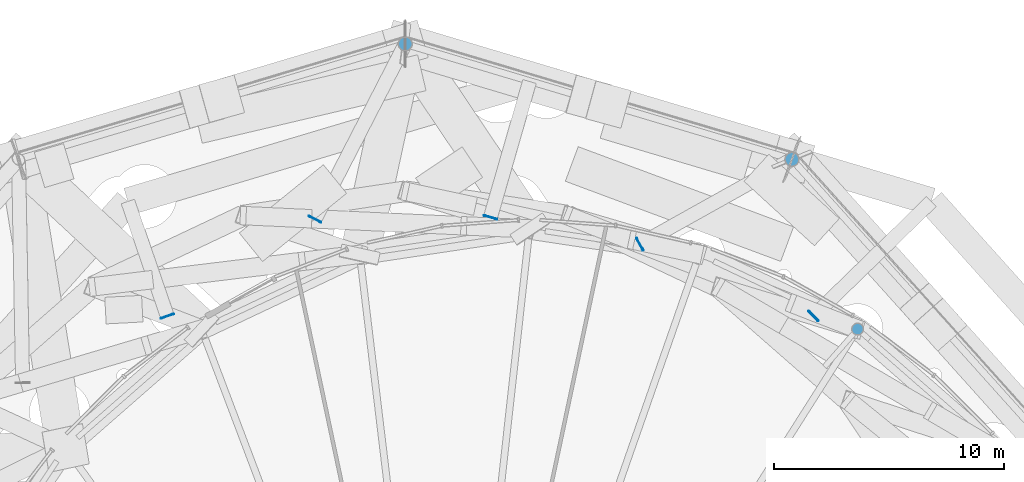
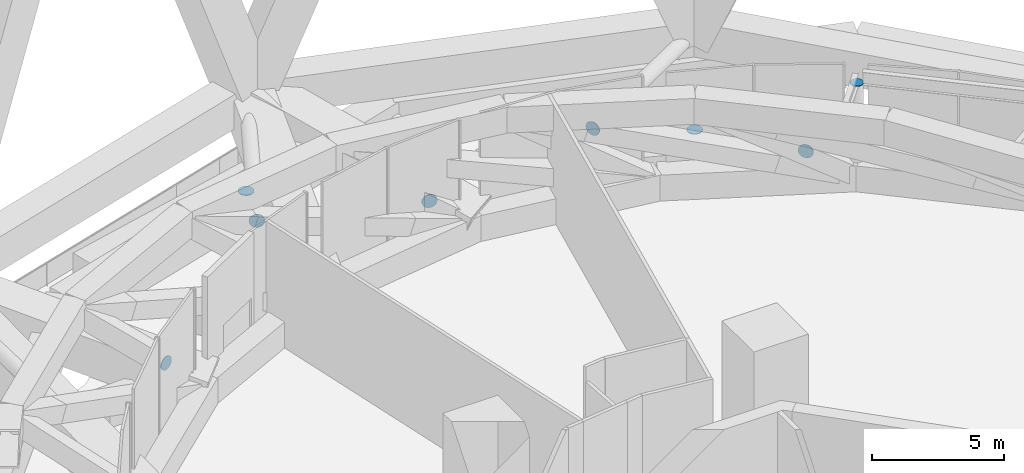
# One storey, part 48 of 51: 8 discrete accessories.
"""IFC4 building model written with IfcOpenShell, lengths in metres."""

from ifc_helpers import new_model, si_unit, direction, frame, origin, origin_2d, place, context, subcontext, project, spatial, circle, extrude, material, layer, layer_set, type_object, element, save


model = new_model("IFC4")

# Units and contexts
model_context = context("Model", 3, precision=1e-05, world=origin(), true_north=direction((0.0, 1.0)))
body_context = subcontext(model_context, "Body", "Model", "MODEL_VIEW")
ifc_project = project(units=[si_unit("LENGTHUNIT", "METRE"), si_unit("AREAUNIT", "SQUARE_METRE"), si_unit("VOLUMEUNIT", "CUBIC_METRE"), si_unit("PLANEANGLEUNIT", "RADIAN"), si_unit("MASSUNIT", "GRAM", prefix="KILO")], contexts=[model_context])

# Site, building, storey
site_placement = place(None, origin())
site = spatial("IfcSite", under=ifc_project, at=site_placement, CompositionType="ELEMENT")
building_placement = place(site_placement, origin())
building = spatial("IfcBuilding", under=site, at=building_placement, Name="Nagisa Residences", CompositionType="ELEMENT")
storey_placement = place(building_placement, frame((0.0, 0.0, 67.699951171875)))
storey = spatial("IfcBuildingStorey", under=building, at=storey_placement, Name="L16", CompositionType="ELEMENT", Elevation=67.699951171875)

# Discrete accessories
ifc_material_1 = material(Name="Steel ASTM A572 Gr 50", Category="steel")
ifc_layer_1 = layer(ifc_material_1, 0.030029296875)
ifc_layer_set_1 = layer_set([ifc_layer_1], Name="End plate")
discrete_accessory_type_1 = type_object("IfcDiscreteAccessoryType", Name="End plate", PredefinedType="ANCHORPLATE", material=ifc_layer_set_1)
for number, where, z_axis, x_axis, name in (
    (1, (14.99755859375, 35.52001953125, -0.889892578125), (0.0, 0.0, -1.0), (1.0, 0.0, 0.0), "End plate DH102"),
    (2, (-1.800048828125, 40.53271484375, -0.889892578125), (0.0, 0.0, -1.0), (1.0, 0.0, 0.0), "End plate DH103"),
):
    element("IfcDiscreteAccessory", number, at=place(storey_placement, frame(where, z_axis=z_axis, x_axis=x_axis)), inside=storey, type_object=discrete_accessory_type_1, Name=name, PredefinedType="ANCHORPLATE", context=body_context, shape_type="SweptSolid", body=[
        extrude(circle(Radius=0.304931640625, at=origin_2d()), origin(), (0.0, 0.0, 1.0), 0.030029296875),
    ])
discrete_accessory_1_placement = place(storey_placement, frame((17.85009765625, 28.145751953125, 4.737060546875), z_axis=(0.0, 0.0, 1.0), x_axis=(1.0, 0.0, 0.0)))
element("IfcDiscreteAccessory", 3, at=discrete_accessory_1_placement, inside=storey, type_object=discrete_accessory_type_1, Name="End plate GP105", PredefinedType="ANCHORPLATE", context=body_context, shape_type="SweptSolid", body=[
    extrude(circle(Radius=0.25390625, at=origin_2d()), origin(), (0.0, 0.0, 1.0), 0.030029296875),
])
ifc_material_2 = material(Name="Steel ASTM A572 Gr 50", Category="steel")
ifc_layer_2 = layer(ifc_material_2, 0.030029296875)
ifc_layer_set_2 = layer_set([ifc_layer_2], Name="Node plate")
discrete_accessory_type_2 = type_object("IfcDiscreteAccessoryType", Name="Node plate", PredefinedType="ANCHORPLATE", material=ifc_layer_set_2)
for number, where, z_axis, x_axis, name in (
    (4, (15.949462890625, 28.720947265625, 1.900146484375), (-0.715187202401, -0.698932947801, 0.0), (0.698932947801, -0.715187202401, 0.0), "Node plate ST1A03"),
    (5, (1.904296875, 33.0126953125, 1.900146484375), (-0.276871495343, -0.960906954427, 0.0), (0.960906954427, -0.276871495343, 0.0), "Node plate ST1A04"),
    (6, (-12.140869140625, 28.720947265625, 1.900146484375), (0.325990683319, -0.945372981626, 0.0), (0.945372981626, 0.325990683319, 0.0), "Node plate ST1A05"),
):
    element("IfcDiscreteAccessory", number, at=place(storey_placement, frame(where, z_axis=z_axis, x_axis=x_axis)), inside=storey, type_object=discrete_accessory_type_2, Name=name, PredefinedType="ANCHORPLATE", context=body_context, shape_type="SweptSolid", body=[
        extrude(circle(Radius=0.304931640625, at=origin_2d()), origin(), (0.0, 0.0, 1.0), 0.030029296875),
    ])
discrete_accessory_2_placement = place(storey_placement, frame((8.40673828125, 31.83740234375, 3.699951171875), z_axis=(-0.874157276122, -0.485642931179, 0.0), x_axis=(0.485642931179, -0.874157276122, 0.0)))
element("IfcDiscreteAccessory", 7, at=discrete_accessory_2_placement, inside=storey, type_object=discrete_accessory_type_2, Name="Node plate ST2B03", PredefinedType="ANCHORPLATE", context=body_context, shape_type="SweptSolid", body=[
    extrude(circle(Radius=0.304931640625, at=origin_2d()), origin(), (0.0, 0.0, 1.0), 0.0302734375),
])
discrete_accessory_3_placement = place(storey_placement, frame((-5.7138671875, 32.93115234375, 3.699951171875), z_axis=(-0.456979203766, -0.88947737876, 0.0), x_axis=(0.88947737876, -0.456979203766, 0.0)))
element("IfcDiscreteAccessory", 8, at=discrete_accessory_3_placement, inside=storey, type_object=discrete_accessory_type_2, Name="Node plate ST2B04", PredefinedType="ANCHORPLATE", context=body_context, shape_type="SweptSolid", body=[
    extrude(circle(Radius=0.304931640625, at=origin_2d()), origin(), (0.0, 0.0, 1.0), 0.030029296875),
])

save(model, "model.ifc")
